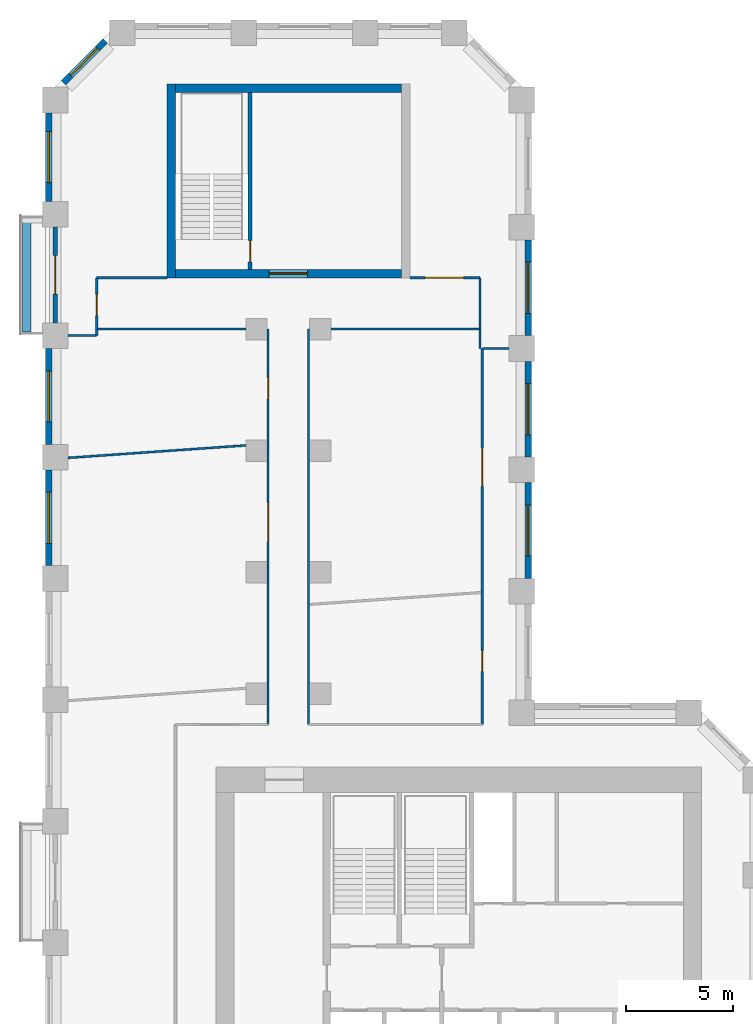
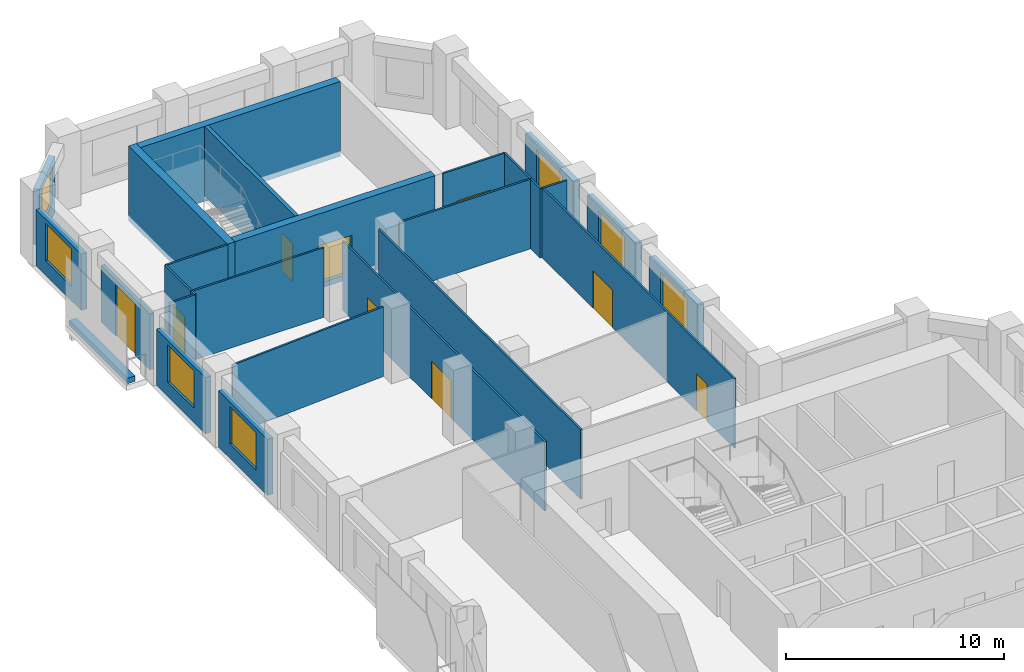
# One storey, part 8 of 10: 27 walls, 9 doors, 7 windows, 16 openings.
"""IFC4 building model written with IfcOpenShell, lengths in metres."""

from ifc_helpers import new_model, si_unit, direction, frame, frame_2d, origin, place, context, subcontext, project, spatial, rectangle, extrude, material, layer, layer_set, type_object, element, fill, save


model = new_model("IFC4")

# Units and contexts
model_context = context("Model", 3, precision=1e-05, world=origin(), true_north=direction((0.0, 1.0)))
body_context = subcontext(model_context, "Body", "Model", "MODEL_VIEW")
ifc_project = project(units=[si_unit("LENGTHUNIT", "METRE"), si_unit("AREAUNIT", "SQUARE_METRE"), si_unit("VOLUMEUNIT", "CUBIC_METRE"), si_unit("PLANEANGLEUNIT", "RADIAN"), si_unit("MASSUNIT", "GRAM", prefix="KILO")], contexts=[model_context])

# Site, building, storey
site_placement = place(None, origin())
site = spatial("IfcSite", under=ifc_project, at=site_placement, CompositionType="ELEMENT")
building_placement = place(site_placement, origin())
building = spatial("IfcBuilding", under=site, at=building_placement, Name="Meshkara Civic Tower", CompositionType="ELEMENT")
storey_placement = place(building_placement, frame((0.0, 0.0, 199.199951171875)))
storey = spatial("IfcBuildingStorey", under=building, at=storey_placement, Name="L45", CompositionType="ELEMENT", Elevation=199.199951171875)

# Wall
ifc_material_1 = material(Name="Corridor wall 100")
ifc_layer_1 = layer(ifc_material_1, 0.10009765625)
ifc_layer_set_1 = layer_set([ifc_layer_1], Name="Corridor wall 100")
wall_type_1 = type_object("IfcWallType", Name="Corridor wall 100", PredefinedType="PARTITIONING", material=ifc_layer_set_1)
wall_1_placement = place(storey_placement, frame((2.39990234375, 57.469970703125, 0.0), z_axis=(0.0, 0.0, 1.0), x_axis=(1.0, 0.0, 0.0)))
element("IfcWall", 1, at=wall_1_placement, inside=storey, type_object=wall_type_1, Name="L45-W001", PredefinedType="PARTITIONING", context=body_context, shape_type="SweptSolid", body=[
    extrude(rectangle(XDim=7.0, YDim=0.10009765625, at=frame_2d((3.5, 0.0))), origin(), (0.0, 0.0, 1.0), 3.900146484375),
])

# Wall, opening, door
wall_2_placement = place(storey_placement, frame((2.39990234375, 59.8701171875, 0.0), z_axis=(0.0, 0.0, 1.0), x_axis=(0.0, -1.0, 0.0)))
wall_2 = element("IfcWall", 2, at=wall_2_placement, inside=storey, type_object=wall_type_1, Name="L45-W002", PredefinedType="PARTITIONING", context=body_context, shape_type="SweptSolid", body=[
    extrude(rectangle(XDim=2.400146484375, YDim=0.10009765625, at=frame_2d((1.2001953125, 0.0))), origin(), (0.0, 0.0, 1.0), 3.900146484375),
])
opening_1_placement = place(wall_2_placement, frame((0.780029296875, 0.0, 0.0)))
opening_1 = element("IfcOpeningElement", 3, at=opening_1_placement, cuts=wall_2, Name="Opening L45-D021", PredefinedType="OPENING", context=body_context, shape_type="SweptSolid", body=[
    extrude(rectangle(XDim=1.0, YDim=2.10009765625, at=frame_2d((0.5, 1.050048828125))), frame((0.0, 0.06005859375, 0.0), z_axis=(0.0, -1.0, 0.0), x_axis=(1.0, 0.0, 0.0)), (0.0, 0.0, 1.0), 0.1201171875),
])
ifc_material_2 = material(Name="Door 1000 x 2100")
door_type_1 = type_object("IfcDoorType", Name="Door 1000 x 2100", OperationType="SINGLE_SWING_LEFT", PredefinedType="DOOR", material=ifc_material_2)
door_1_placement = place(opening_1_placement, origin())
door_1 = element("IfcDoor", 4, at=door_1_placement, inside=storey, type_object=door_type_1, Name="L45-D021", OperationType="SINGLE_SWING_LEFT", OverallHeight=2.10009765625, OverallWidth=1.0, PredefinedType="DOOR", context=body_context, shape_type="SweptSolid", body=[
    extrude(rectangle(XDim=1.0, YDim=2.10009765625, at=frame_2d((0.5, 1.050048828125))), frame((0.0, 0.02490234375, 0.0), z_axis=(0.0, -1.0, 0.0), x_axis=(1.0, 0.0, 0.0)), (0.0, 0.0, 1.0), 0.050048828125),
])
fill(opening_1, door_1)

# Wall
wall_3_placement = place(storey_placement, frame((5.699951171875, 59.8701171875, 0.0), z_axis=(0.0, 0.0, 1.0), x_axis=(-1.0, 0.0, 0.0)))
element("IfcWall", 5, at=wall_3_placement, inside=storey, type_object=wall_type_1, Name="L45-W003", PredefinedType="PARTITIONING", context=body_context, shape_type="SweptSolid", body=[
    extrude(rectangle(XDim=3.300048828125, YDim=0.10009765625, at=frame_2d((1.64990234375, 0.0))), origin(), (0.0, 0.0, 1.0), 3.900146484375),
])

# Wall, openings, doors
wall_4_placement = place(storey_placement, frame((10.449951171875, 57.469970703125, 0.0), z_axis=(0.0, 0.0, 1.0), x_axis=(0.0, -1.0, 0.0)))
wall_4 = element("IfcWall", 6, at=wall_4_placement, inside=storey, type_object=wall_type_1, Name="L45-W012", PredefinedType="PARTITIONING", context=body_context, shape_type="SweptSolid", body=[
    extrude(rectangle(XDim=18.570068359375, YDim=0.10009765625, at=frame_2d((9.28515625, 0.0))), origin(), (0.0, 0.0, 1.0), 3.900146484375),
])
opening_2_placement = place(wall_4_placement, frame((8.176025390625, 0.0, 0.0)))
opening_2 = element("IfcOpeningElement", 7, at=opening_2_placement, cuts=wall_4, Name="Opening L45-D019", PredefinedType="OPENING", context=body_context, shape_type="SweptSolid", body=[
    extrude(rectangle(XDim=1.800048828125, YDim=2.10009765625, at=frame_2d((0.89990234375, 1.050048828125))), frame((0.0, 0.06005859375, 0.0), z_axis=(0.0, -1.0, 0.0), x_axis=(1.0, 0.0, 0.0)), (0.0, 0.0, 1.0), 0.1201171875),
])
opening_3_placement = place(wall_4_placement, frame((2.280029296875, 0.0, 0.0)))
opening_3 = element("IfcOpeningElement", 8, at=opening_3_placement, cuts=wall_4, Name="Opening L45-D022", PredefinedType="OPENING", context=body_context, shape_type="SweptSolid", body=[
    extrude(rectangle(XDim=1.0, YDim=2.10009765625, at=frame_2d((0.5, 1.050048828125))), frame((0.0, 0.06005859375, 0.0), z_axis=(0.0, -1.0, 0.0), x_axis=(1.0, 0.0, 0.0)), (0.0, 0.0, 1.0), 0.1201171875),
])
door_2_placement = place(opening_3_placement, origin())
door_2 = element("IfcDoor", 9, at=door_2_placement, inside=storey, type_object=door_type_1, Name="L45-D022", OperationType="SINGLE_SWING_LEFT", OverallHeight=2.10009765625, OverallWidth=1.0, PredefinedType="DOOR", context=body_context, shape_type="SweptSolid", body=[
    extrude(rectangle(XDim=1.0, YDim=2.10009765625, at=frame_2d((0.5, 1.050048828125))), frame((0.0, 0.02490234375, 0.0), z_axis=(0.0, -1.0, 0.0), x_axis=(1.0, 0.0, 0.0)), (0.0, 0.0, 1.0), 0.050048828125),
])
fill(opening_3, door_2)
ifc_material_3 = material(Name="Door pair 1800 x 2100")
door_type_2 = type_object("IfcDoorType", Name="Door pair 1800 x 2100", OperationType="SINGLE_SWING_LEFT", PredefinedType="DOOR", material=ifc_material_3)
door_3_placement = place(opening_2_placement, origin())
door_3 = element("IfcDoor", 10, at=door_3_placement, inside=storey, type_object=door_type_2, Name="L45-D019", OperationType="DOUBLE_DOOR_SINGLE_SWING", OverallHeight=2.10009765625, OverallWidth=1.800048828125, PredefinedType="DOOR", context=body_context, shape_type="SweptSolid", body=[
    extrude(rectangle(XDim=1.800048828125, YDim=2.10009765625, at=frame_2d((0.89990234375, 1.050048828125))), frame((0.0, 0.02490234375, 0.0), z_axis=(0.0, -1.0, 0.0), x_axis=(1.0, 0.0, 0.0)), (0.0, 0.0, 1.0), 0.050048828125),
])
fill(opening_2, door_3)

# Walls
wall_5_placement = place(storey_placement, frame((12.35009765625, 57.469970703125, 0.0), z_axis=(0.0, 0.0, 1.0), x_axis=(0.0, -1.0, 0.0)))
element("IfcWall", 11, at=wall_5_placement, inside=storey, type_object=wall_type_1, Name="L45-W013", PredefinedType="PARTITIONING", context=body_context, shape_type="SweptSolid", body=[
    extrude(rectangle(XDim=18.570068359375, YDim=0.10009765625, at=frame_2d((9.28515625, 0.0))), origin(), (0.0, 0.0, 1.0), 3.900146484375),
])
wall_6_placement = place(storey_placement, frame((13.39990234375, 57.469970703125, 0.0), z_axis=(0.0, 0.0, 1.0), x_axis=(1.0, 0.0, 0.0)))
element("IfcWall", 12, at=wall_6_placement, inside=storey, type_object=wall_type_1, Name="L45-W015", PredefinedType="PARTITIONING", context=body_context, shape_type="SweptSolid", body=[
    extrude(rectangle(XDim=7.0, YDim=0.10009765625, at=frame_2d((3.5, 0.0))), origin(), (0.0, 0.0, 1.0), 3.900146484375),
])
wall_7_placement = place(storey_placement, frame((20.39990234375, 57.469970703125, 0.0), z_axis=(0.0, 0.0, 1.0), x_axis=(0.0, 1.0, 0.0)))
element("IfcWall", 13, at=wall_7_placement, inside=storey, type_object=wall_type_1, Name="L45-W016", PredefinedType="PARTITIONING", context=body_context, shape_type="SweptSolid", body=[
    extrude(rectangle(XDim=2.400146484375, YDim=0.10009765625, at=frame_2d((1.2001953125, 0.0))), origin(), (0.0, 0.0, 1.0), 3.900146484375),
])

# Wall, opening, door
wall_8_placement = place(storey_placement, frame((20.39990234375, 59.8701171875, 0.0), z_axis=(0.0, 0.0, 1.0), x_axis=(-1.0, 0.0, 0.0)))
wall_8 = element("IfcWall", 14, at=wall_8_placement, inside=storey, type_object=wall_type_1, Name="L45-W017", PredefinedType="PARTITIONING", context=body_context, shape_type="SweptSolid", body=[
    extrude(rectangle(XDim=3.2998046875, YDim=0.10009765625, at=frame_2d((1.64990234375, 0.0))), origin(), (0.0, 0.0, 1.0), 3.900146484375),
])
opening_4_placement = place(wall_8_placement, frame((0.780029296875, 0.0, 0.0)))
opening_4 = element("IfcOpeningElement", 15, at=opening_4_placement, cuts=wall_8, Name="Opening L45-D023", PredefinedType="OPENING", context=body_context, shape_type="SweptSolid", body=[
    extrude(rectangle(XDim=1.800048828125, YDim=2.10009765625, at=frame_2d((0.89990234375, 1.050048828125))), frame((0.0, 0.06005859375, 0.0), z_axis=(0.0, -1.0, 0.0), x_axis=(1.0, 0.0, 0.0)), (0.0, 0.0, 1.0), 0.1201171875),
])
door_4_placement = place(opening_4_placement, origin())
door_4 = element("IfcDoor", 16, at=door_4_placement, inside=storey, type_object=door_type_2, Name="L45-D023", OperationType="DOUBLE_DOOR_SINGLE_SWING", OverallHeight=2.10009765625, OverallWidth=1.800048828125, PredefinedType="DOOR", context=body_context, shape_type="SweptSolid", body=[
    extrude(rectangle(XDim=1.800048828125, YDim=2.10009765625, at=frame_2d((0.89990234375, 1.050048828125))), frame((0.0, 0.02490234375, 0.0), z_axis=(0.0, -1.0, 0.0), x_axis=(1.0, 0.0, 0.0)), (0.0, 0.0, 1.0), 0.050048828125),
])
fill(opening_4, door_4)

# Wall, openings, doors
wall_9_placement = place(storey_placement, frame((20.5, 38.89990234375, 0.0), z_axis=(0.0, 0.0, 1.0), x_axis=(0.0, 1.0, 0.0)))
wall_9 = element("IfcWall", 17, at=wall_9_placement, inside=storey, type_object=wall_type_1, Name="L45-W018", PredefinedType="PARTITIONING", context=body_context, shape_type="SweptSolid", body=[
    extrude(rectangle(XDim=17.650146484375, YDim=0.10009765625, at=frame_2d((8.8251953125, 0.0))), origin(), (0.0, 0.0, 1.0), 3.900146484375),
])
opening_5_placement = place(wall_9_placement, frame((2.47998046875, 0.0, 0.0)))
opening_5 = element("IfcOpeningElement", 18, at=opening_5_placement, cuts=wall_9, Name="Opening L45-D018", PredefinedType="OPENING", context=body_context, shape_type="SweptSolid", body=[
    extrude(rectangle(XDim=1.0, YDim=2.10009765625, at=frame_2d((0.5, 1.050048828125))), frame((0.0, 0.06005859375, 0.0), z_axis=(0.0, -1.0, 0.0), x_axis=(1.0, 0.0, 0.0)), (0.0, 0.0, 1.0), 0.1201171875),
])
opening_6_placement = place(wall_9_placement, frame((11.177001953125, 0.0, 0.0)))
opening_6 = element("IfcOpeningElement", 19, at=opening_6_placement, cuts=wall_9, Name="Opening L45-D020", PredefinedType="OPENING", context=body_context, shape_type="SweptSolid", body=[
    extrude(rectangle(XDim=1.800048828125, YDim=2.10009765625, at=frame_2d((0.89990234375, 1.050048828125))), frame((0.0, 0.06005859375, 0.0), z_axis=(0.0, -1.0, 0.0), x_axis=(1.0, 0.0, 0.0)), (0.0, 0.0, 1.0), 0.1201171875),
])
door_5_placement = place(opening_5_placement, origin())
door_5 = element("IfcDoor", 20, at=door_5_placement, inside=storey, type_object=door_type_1, Name="L45-D018", OperationType="SINGLE_SWING_LEFT", OverallHeight=2.10009765625, OverallWidth=1.0, PredefinedType="DOOR", context=body_context, shape_type="SweptSolid", body=[
    extrude(rectangle(XDim=1.0, YDim=2.10009765625, at=frame_2d((0.5, 1.050048828125))), frame((0.0, 0.02490234375, 0.0), z_axis=(0.0, -1.0, 0.0), x_axis=(1.0, 0.0, 0.0)), (0.0, 0.0, 1.0), 0.050048828125),
])
fill(opening_5, door_5)
door_6_placement = place(opening_6_placement, origin())
door_6 = element("IfcDoor", 21, at=door_6_placement, inside=storey, type_object=door_type_2, Name="L45-D020", OperationType="DOUBLE_DOOR_SINGLE_SWING", OverallHeight=2.10009765625, OverallWidth=1.800048828125, PredefinedType="DOOR", context=body_context, shape_type="SweptSolid", body=[
    extrude(rectangle(XDim=1.800048828125, YDim=2.10009765625, at=frame_2d((0.89990234375, 1.050048828125))), frame((0.0, 0.02490234375, 0.0), z_axis=(0.0, -1.0, 0.0), x_axis=(1.0, 0.0, 0.0)), (0.0, 0.0, 1.0), 0.050048828125),
])
fill(opening_6, door_6)

# Wall
wall_10_placement = place(storey_placement, frame((21.75, 56.550048828125, 0.0), z_axis=(0.0, 0.0, 1.0), x_axis=(-1.0, 0.0, 0.0)))
element("IfcWall", 22, at=wall_10_placement, inside=storey, type_object=wall_type_1, Name="L45-W020", PredefinedType="PARTITIONING", context=body_context, shape_type="SweptSolid", body=[
    extrude(rectangle(XDim=1.25, YDim=0.10009765625, at=frame_2d((0.625, 0.0))), origin(), (0.0, 0.0, 1.0), 3.900146484375),
])

# Wall, opening, window
ifc_material_4 = material(Name="Insulated infill panel with bronze anodised aluminium cladding", Category="aluminium")
ifc_layer_2 = layer(ifc_material_4, 0.300048828125)
ifc_layer_set_2 = layer_set([ifc_layer_2], Name="EXTERNAL INFILL WALL 300")
wall_type_2 = type_object("IfcWallType", Name="EXTERNAL INFILL WALL 300", PredefinedType="SOLIDWALL", material=ifc_layer_set_2)
wall_11_placement = place(storey_placement, frame((22.64990234375, 45.75, 0.0), z_axis=(0.0, 0.0, 1.0), x_axis=(0.0, 1.0, 0.0)))
wall_11 = element("IfcWall", 23, at=wall_11_placement, inside=storey, type_object=wall_type_2, Name="External wall", PredefinedType="SOLIDWALL", context=body_context, shape_type="SweptSolid", body=[
    extrude(rectangle(XDim=4.5, YDim=0.300048828125, at=frame_2d((2.25, 0.0))), origin(), (0.0, 0.0, 1.0), 3.150146484375),
])
opening_7_placement = place(wall_11_placement, frame((1.050048828125, 0.0, 0.800048828125)))
opening_7 = element("IfcOpeningElement", 24, at=opening_7_placement, cuts=wall_11, Name="Opening W7", PredefinedType="OPENING", context=body_context, shape_type="SweptSolid", body=[
    extrude(rectangle(XDim=2.39990234375, YDim=2.10009765625, at=frame_2d((1.199951171875, 1.050048828125))), frame((0.0, 0.159912109375, 0.0), z_axis=(0.0, -1.0, 0.0), x_axis=(1.0, 0.0, 0.0)), (0.0, 0.0, 1.0), 0.320068359375),
])
ifc_material_5 = material(Name="Tinted double glazing", Category="glass")
window_type_1 = type_object("IfcWindowType", Name="WINDOW 2400x2100", PartitioningType="DOUBLE_PANEL_VERTICAL", PredefinedType="WINDOW", material=ifc_material_5)
window_1_placement = place(opening_7_placement, origin())
window_1 = element("IfcWindow", 25, at=window_1_placement, inside=storey, type_object=window_type_1, Name="Window", OverallHeight=2.10009765625, OverallWidth=2.39990234375, PartitioningType="DOUBLE_PANEL_VERTICAL", PredefinedType="WINDOW", context=body_context, shape_type="SweptSolid", body=[
    extrude(rectangle(XDim=2.39990234375, YDim=2.10009765625, at=frame_2d((1.199951171875, 1.050048828125))), frame((0.0, 0.030029296875, 0.0), z_axis=(0.0, -1.0, 0.0), x_axis=(1.0, 0.0, 0.0)), (0.0, 0.0, 1.0), 0.06005859375),
])
fill(opening_7, window_1)

wall_12_placement = place(storey_placement, frame((22.64990234375, 51.449951171875, 0.0), z_axis=(0.0, 0.0, 1.0), x_axis=(0.0, 1.0, 0.0)))
wall_12 = element("IfcWall", 26, at=wall_12_placement, inside=storey, type_object=wall_type_2, Name="External wall", PredefinedType="SOLIDWALL", context=body_context, shape_type="SweptSolid", body=[
    extrude(rectangle(XDim=4.5, YDim=0.300048828125, at=frame_2d((2.25, 0.0))), origin(), (0.0, 0.0, 1.0), 3.150146484375),
])
opening_8_placement = place(wall_12_placement, frame((1.050048828125, 0.0, 0.800048828125)))
opening_8 = element("IfcOpeningElement", 27, at=opening_8_placement, cuts=wall_12, Name="Opening W7", PredefinedType="OPENING", context=body_context, shape_type="SweptSolid", body=[
    extrude(rectangle(XDim=2.39990234375, YDim=2.10009765625, at=frame_2d((1.199951171875, 1.050048828125))), frame((0.0, 0.159912109375, 0.0), z_axis=(0.0, -1.0, 0.0), x_axis=(1.0, 0.0, 0.0)), (0.0, 0.0, 1.0), 0.320068359375),
])
window_2_placement = place(opening_8_placement, origin())
window_2 = element("IfcWindow", 28, at=window_2_placement, inside=storey, type_object=window_type_1, Name="Window", OverallHeight=2.10009765625, OverallWidth=2.39990234375, PartitioningType="DOUBLE_PANEL_VERTICAL", PredefinedType="WINDOW", context=body_context, shape_type="SweptSolid", body=[
    extrude(rectangle(XDim=2.39990234375, YDim=2.10009765625, at=frame_2d((1.199951171875, 1.050048828125))), frame((0.0, 0.030029296875, 0.0), z_axis=(0.0, -1.0, 0.0), x_axis=(1.0, 0.0, 0.0)), (0.0, 0.0, 1.0), 0.06005859375),
])
fill(opening_8, window_2)

wall_13_placement = place(storey_placement, frame((22.64990234375, 57.14990234375, 0.0), z_axis=(0.0, 0.0, 1.0), x_axis=(0.0, 1.0, 0.0)))
wall_13 = element("IfcWall", 29, at=wall_13_placement, inside=storey, type_object=wall_type_2, Name="External wall", PredefinedType="SOLIDWALL", context=body_context, shape_type="SweptSolid", body=[
    extrude(rectangle(XDim=4.5, YDim=0.300048828125, at=frame_2d((2.25, 0.0))), origin(), (0.0, 0.0, 1.0), 3.150146484375),
])
opening_9_placement = place(wall_13_placement, frame((1.050048828125, 0.0, 0.800048828125)))
opening_9 = element("IfcOpeningElement", 30, at=opening_9_placement, cuts=wall_13, Name="Opening W7", PredefinedType="OPENING", context=body_context, shape_type="SweptSolid", body=[
    extrude(rectangle(XDim=2.39990234375, YDim=2.10009765625, at=frame_2d((1.199951171875, 1.050048828125))), frame((0.0, 0.159912109375, 0.0), z_axis=(0.0, -1.0, 0.0), x_axis=(1.0, 0.0, 0.0)), (0.0, 0.0, 1.0), 0.320068359375),
])
window_3_placement = place(opening_9_placement, origin())
window_3 = element("IfcWindow", 31, at=window_3_placement, inside=storey, type_object=window_type_1, Name="Window", OverallHeight=2.10009765625, OverallWidth=2.39990234375, PartitioningType="DOUBLE_PANEL_VERTICAL", PredefinedType="WINDOW", context=body_context, shape_type="SweptSolid", body=[
    extrude(rectangle(XDim=2.39990234375, YDim=2.10009765625, at=frame_2d((1.199951171875, 1.050048828125))), frame((0.0, 0.030029296875, 0.0), z_axis=(0.0, -1.0, 0.0), x_axis=(1.0, 0.0, 0.0)), (0.0, 0.0, 1.0), 0.06005859375),
])
fill(opening_9, window_3)

wall_14_placement = place(storey_placement, frame((2.7939453125, 70.98193359375, 0.0), z_axis=(0.0, 0.0, 1.0), x_axis=(-0.707106781187, -0.707106781187, 0.0)))
wall_14 = element("IfcWall", 32, at=wall_14_placement, inside=storey, type_object=wall_type_2, Name="External wall", PredefinedType="SOLIDWALL", context=body_context, shape_type="SweptSolid", body=[
    extrude(rectangle(XDim=2.766357421875, YDim=0.300048828125, at=frame_2d((1.38330078125, 0.0))), origin(), (0.0, 0.0, 1.0), 3.150146484375),
])
opening_10_placement = place(wall_14_placement, frame((0.48291015625, 0.0, 0.800048828125)))
opening_10 = element("IfcOpeningElement", 33, at=opening_10_placement, cuts=wall_14, Name="Opening W9", PredefinedType="OPENING", context=body_context, shape_type="SweptSolid", body=[
    extrude(rectangle(XDim=1.800048828125, YDim=2.10009765625, at=frame_2d((0.89990234375, 1.050048828125))), frame((0.0, 0.159912109375, 0.0), z_axis=(0.0, -1.0, 0.0), x_axis=(1.0, 0.0, 0.0)), (0.0, 0.0, 1.0), 0.320068359375),
])
ifc_material_6 = material(Name="Tinted double glazing", Category="glass")
window_type_2 = type_object("IfcWindowType", Name="WINDOW 1800x2100", PartitioningType="DOUBLE_PANEL_VERTICAL", PredefinedType="WINDOW", material=ifc_material_6)
window_4_placement = place(opening_10_placement, origin())
window_4 = element("IfcWindow", 34, at=window_4_placement, inside=storey, type_object=window_type_2, Name="Window", OverallHeight=2.10009765625, OverallWidth=1.800048828125, PartitioningType="DOUBLE_PANEL_VERTICAL", PredefinedType="WINDOW", context=body_context, shape_type="SweptSolid", body=[
    extrude(rectangle(XDim=1.800048828125, YDim=2.10009765625, at=frame_2d((0.89990234375, 1.050048828125))), frame((0.0, 0.030029296875, 0.0), z_axis=(0.0, -1.0, 0.0), x_axis=(1.0, 0.0, 0.0)), (0.0, 0.0, 1.0), 0.06005859375),
])
fill(opening_10, window_4)

wall_15_placement = place(storey_placement, frame((0.14990234375, 67.614013671875, 0.0), z_axis=(0.0, 0.0, 1.0), x_axis=(0.0, -1.0, 0.0)))
wall_15 = element("IfcWall", 35, at=wall_15_placement, inside=storey, type_object=wall_type_2, Name="External wall", PredefinedType="SOLIDWALL", context=body_context, shape_type="SweptSolid", body=[
    extrude(rectangle(XDim=4.158935546875, YDim=0.300048828125, at=frame_2d((2.07958984375, 0.0))), origin(), (0.0, 0.0, 1.0), 3.150146484375),
])
opening_11_placement = place(wall_15_placement, frame((0.8798828125, 0.0, 0.800048828125)))
opening_11 = element("IfcOpeningElement", 36, at=opening_11_placement, cuts=wall_15, Name="Opening W7", PredefinedType="OPENING", context=body_context, shape_type="SweptSolid", body=[
    extrude(rectangle(XDim=2.39990234375, YDim=2.10009765625, at=frame_2d((1.199951171875, 1.050048828125))), frame((0.0, 0.159912109375, 0.0), z_axis=(0.0, -1.0, 0.0), x_axis=(1.0, 0.0, 0.0)), (0.0, 0.0, 1.0), 0.320068359375),
])
window_5_placement = place(opening_11_placement, origin())
window_5 = element("IfcWindow", 37, at=window_5_placement, inside=storey, type_object=window_type_1, Name="Window", OverallHeight=2.10009765625, OverallWidth=2.39990234375, PartitioningType="DOUBLE_PANEL_VERTICAL", PredefinedType="WINDOW", context=body_context, shape_type="SweptSolid", body=[
    extrude(rectangle(XDim=2.39990234375, YDim=2.10009765625, at=frame_2d((1.199951171875, 1.050048828125))), frame((0.0, 0.030029296875, 0.0), z_axis=(0.0, -1.0, 0.0), x_axis=(1.0, 0.0, 0.0)), (0.0, 0.0, 1.0), 0.06005859375),
])
fill(opening_11, window_5)

wall_16_placement = place(storey_placement, frame((0.14990234375, 56.554931640625, 0.0), z_axis=(0.0, 0.0, 1.0), x_axis=(0.0, -1.0, 0.0)))
wall_16 = element("IfcWall", 38, at=wall_16_placement, inside=storey, type_object=wall_type_2, Name="External wall", PredefinedType="SOLIDWALL", context=body_context, shape_type="SweptSolid", body=[
    extrude(rectangle(XDim=4.5, YDim=0.300048828125, at=frame_2d((2.25, 0.0))), origin(), (0.0, 0.0, 1.0), 3.150146484375),
])
opening_12_placement = place(wall_16_placement, frame((1.050048828125, 0.0, 0.800048828125)))
opening_12 = element("IfcOpeningElement", 39, at=opening_12_placement, cuts=wall_16, Name="Opening W7", PredefinedType="OPENING", context=body_context, shape_type="SweptSolid", body=[
    extrude(rectangle(XDim=2.39990234375, YDim=2.10009765625, at=frame_2d((1.199951171875, 1.050048828125))), frame((0.0, 0.159912109375, 0.0), z_axis=(0.0, -1.0, 0.0), x_axis=(1.0, 0.0, 0.0)), (0.0, 0.0, 1.0), 0.320068359375),
])
window_6_placement = place(opening_12_placement, origin())
window_6 = element("IfcWindow", 40, at=window_6_placement, inside=storey, type_object=window_type_1, Name="Window", OverallHeight=2.10009765625, OverallWidth=2.39990234375, PartitioningType="DOUBLE_PANEL_VERTICAL", PredefinedType="WINDOW", context=body_context, shape_type="SweptSolid", body=[
    extrude(rectangle(XDim=2.39990234375, YDim=2.10009765625, at=frame_2d((1.199951171875, 1.050048828125))), frame((0.0, 0.030029296875, 0.0), z_axis=(0.0, -1.0, 0.0), x_axis=(1.0, 0.0, 0.0)), (0.0, 0.0, 1.0), 0.06005859375),
])
fill(opening_12, window_6)

wall_17_placement = place(storey_placement, frame((0.14990234375, 50.85498046875, 0.0), z_axis=(0.0, 0.0, 1.0), x_axis=(0.0, -1.0, 0.0)))
wall_17 = element("IfcWall", 41, at=wall_17_placement, inside=storey, type_object=wall_type_2, Name="External wall", PredefinedType="SOLIDWALL", context=body_context, shape_type="SweptSolid", body=[
    extrude(rectangle(XDim=4.5, YDim=0.300048828125, at=frame_2d((2.25, 0.0))), origin(), (0.0, 0.0, 1.0), 3.150146484375),
])
opening_13_placement = place(wall_17_placement, frame((1.050048828125, 0.0, 0.800048828125)))
opening_13 = element("IfcOpeningElement", 42, at=opening_13_placement, cuts=wall_17, Name="Opening W7", PredefinedType="OPENING", context=body_context, shape_type="SweptSolid", body=[
    extrude(rectangle(XDim=2.39990234375, YDim=2.10009765625, at=frame_2d((1.199951171875, 1.050048828125))), frame((0.0, 0.159912109375, 0.0), z_axis=(0.0, -1.0, 0.0), x_axis=(1.0, 0.0, 0.0)), (0.0, 0.0, 1.0), 0.320068359375),
])
window_7_placement = place(opening_13_placement, origin())
window_7 = element("IfcWindow", 43, at=window_7_placement, inside=storey, type_object=window_type_1, Name="Window", OverallHeight=2.10009765625, OverallWidth=2.39990234375, PartitioningType="DOUBLE_PANEL_VERTICAL", PredefinedType="WINDOW", context=body_context, shape_type="SweptSolid", body=[
    extrude(rectangle(XDim=2.39990234375, YDim=2.10009765625, at=frame_2d((1.199951171875, 1.050048828125))), frame((0.0, 0.030029296875, 0.0), z_axis=(0.0, -1.0, 0.0), x_axis=(1.0, 0.0, 0.0)), (0.0, 0.0, 1.0), 0.06005859375),
])
fill(opening_13, window_7)

# Wall
ifc_material_7 = material(Name="Concrete C70", Category="concrete")
ifc_layer_3 = layer(ifc_material_7, 0.39990234375)
ifc_layer_set_3 = layer_set([ifc_layer_3], Name="End core ring wall 400 C70")
wall_type_3 = type_object("IfcWallType", Name="End core ring wall 400 C70", PredefinedType="SHEAR", material=ifc_layer_set_3)
wall_18_placement = place(storey_placement, frame((5.89990234375, 59.8701171875, -0.300048828125), z_axis=(0.0, 0.0, 1.0), x_axis=(0.0, 1.0, 0.0)))
element("IfcWall", 44, at=wall_18_placement, inside=storey, type_object=wall_type_3, Name="L45-C023", PredefinedType="SHEAR", context=body_context, shape_type="SweptSolid", body=[
    extrude(rectangle(XDim=9.099853515625, YDim=0.39990234375, at=frame_2d((4.5498046875, 0.0))), origin(), (0.0, 0.0, 1.0), 4.2001953125),
])

# Wall, opening, door
wall_19_placement = place(storey_placement, frame((6.10009765625, 60.070068359375, -0.300048828125), z_axis=(0.0, 0.0, 1.0), x_axis=(1.0, 0.0, 0.0)))
wall_19 = element("IfcWall", 45, at=wall_19_placement, inside=storey, type_object=wall_type_3, Name="L45-C025", PredefinedType="SHEAR", context=body_context, shape_type="SweptSolid", body=[
    extrude(rectangle(XDim=10.599853515625, YDim=0.39990234375, at=frame_2d((5.2998046875, 0.0))), origin(), (0.0, 0.0, 1.0), 4.2001953125),
])
opening_14_placement = place(wall_19_placement, frame((4.39990234375, 0.0, 0.300048828125)))
opening_14 = element("IfcOpeningElement", 46, at=opening_14_placement, cuts=wall_19, Name="Opening L45-K102", PredefinedType="OPENING", context=body_context, shape_type="SweptSolid", body=[
    extrude(rectangle(XDim=1.800048828125, YDim=2.10009765625, at=frame_2d((0.89990234375, 1.050048828125))), frame((0.0, 0.2099609375, 0.0), z_axis=(0.0, -1.0, 0.0), x_axis=(1.0, 0.0, 0.0)), (0.0, 0.0, 1.0), 0.419921875),
])
ifc_material_8 = material(Name="Fire-rated door leaf in steel frame", Category="steel")
door_type_3 = type_object("IfcDoorType", Name="Core double door 1800 EI 60", OperationType="DOUBLE_DOOR_SINGLE_SWING", PredefinedType="DOOR", material=ifc_material_8)
door_7_placement = place(opening_14_placement, origin())
door_7 = element("IfcDoor", 47, at=door_7_placement, inside=storey, type_object=door_type_3, Name="L45-K102", OperationType="DOUBLE_DOOR_SINGLE_SWING", OverallHeight=2.10009765625, OverallWidth=1.800048828125, PredefinedType="DOOR", context=body_context, shape_type="SweptSolid", body=[
    extrude(rectangle(XDim=1.800048828125, YDim=2.10009765625, at=frame_2d((0.89990234375, 1.050048828125))), frame((0.0, 0.02490234375, 0.0), z_axis=(0.0, -1.0, 0.0), x_axis=(1.0, 0.0, 0.0)), (0.0, 0.0, 1.0), 0.050048828125),
])
fill(opening_14, door_7)

# Wall
wall_20_placement = place(storey_placement, frame((6.10009765625, 68.77001953125, -0.300048828125), z_axis=(0.0, 0.0, 1.0), x_axis=(1.0, 0.0, 0.0)))
element("IfcWall", 48, at=wall_20_placement, inside=storey, type_object=wall_type_3, Name="L45-C026", PredefinedType="SHEAR", context=body_context, shape_type="SweptSolid", body=[
    extrude(rectangle(XDim=10.599853515625, YDim=0.39990234375, at=frame_2d((5.2998046875, 0.0))), origin(), (0.0, 0.0, 1.0), 4.2001953125),
])

# Wall, opening, door
ifc_material_9 = material(Name="Insulated infill panel with bronze anodised aluminium cladding", Category="aluminium")
ifc_layer_4 = layer(ifc_material_9, 0.199951171875)
ifc_layer_set_4 = layer_set([ifc_layer_4], Name="LOGGIA BACK WALL 200")
wall_type_4 = type_object("IfcWallType", Name="LOGGIA BACK WALL 200", PredefinedType="SOLIDWALL", material=ifc_layer_set_4)
wall_21_placement = place(storey_placement, frame((0.449951171875, 62.2548828125, 0.0), z_axis=(0.0, 0.0, 1.0), x_axis=(0.0, -1.0, 0.0)))
wall_21 = element("IfcWall", 49, at=wall_21_placement, inside=storey, type_object=wall_type_4, Name="Loggia wall", PredefinedType="SOLIDWALL", context=body_context, shape_type="SweptSolid", body=[
    extrude(rectangle(XDim=4.5, YDim=0.199951171875, at=frame_2d((2.25, 0.0))), origin(), (0.0, 0.0, 1.0), 3.150146484375),
])
opening_15_placement = place(wall_21_placement, frame((1.34912109375, 0.0, 0.0)))
opening_15 = element("IfcOpeningElement", 50, at=opening_15_placement, cuts=wall_21, Name="Opening L45-L001", PredefinedType="OPENING", context=body_context, shape_type="SweptSolid", body=[
    extrude(rectangle(XDim=1.800048828125, YDim=2.89990234375, at=frame_2d((0.89990234375, 1.449951171875))), frame((0.0, 0.10986328125, 0.0), z_axis=(0.0, -1.0, 0.0), x_axis=(1.0, 0.0, 0.0)), (0.0, 0.0, 1.0), 0.219970703125),
])
ifc_material_10 = material(Name="Tinted double glazing", Category="glass")
door_type_4 = type_object("IfcDoorType", Name="LOGGIA DOOR 1800x2900", OperationType="DOUBLE_DOOR_SINGLE_SWING", PredefinedType="DOOR", material=ifc_material_10)
door_8_placement = place(opening_15_placement, origin())
door_8 = element("IfcDoor", 51, at=door_8_placement, inside=storey, type_object=door_type_4, Name="L45-L001", OperationType="DOUBLE_DOOR_SINGLE_SWING", OverallHeight=2.89990234375, OverallWidth=1.800048828125, PredefinedType="DOOR", context=body_context, shape_type="SweptSolid", body=[
    extrude(rectangle(XDim=1.800048828125, YDim=2.89990234375, at=frame_2d((0.89990234375, 1.449951171875))), frame((0.0, 0.02490234375, 0.0), z_axis=(0.0, -1.0, 0.0), x_axis=(1.0, 0.0, 0.0)), (0.0, 0.0, 1.0), 0.050048828125),
])
fill(opening_15, door_8)

# Walls
ifc_material_11 = material(Name="Concrete C40", Category="concrete")
ifc_layer_5 = layer(ifc_material_11, 0.39990234375)
ifc_layer_set_5 = layer_set([ifc_layer_5], Name="PLANTER TRAY")
wall_type_5 = type_object("IfcWallType", Name="PLANTER TRAY", PredefinedType="SOLIDWALL", material=ifc_layer_set_5)
wall_22_placement = place(storey_placement, frame((-0.8798828125, 62.68505859375, 0.0), z_axis=(0.0, 0.0, 1.0), x_axis=(0.0, -1.0, 0.0)))
element("IfcWall", 52, at=wall_22_placement, inside=storey, type_object=wall_type_5, Name="Planter", PredefinedType="SOLIDWALL", context=body_context, shape_type="SweptSolid", body=[
    extrude(rectangle(XDim=5.360107421875, YDim=0.39990234375, at=frame_2d((2.68017578125, 0.0))), origin(), (0.0, 0.0, 1.0), 0.300048828125),
])
ifc_material_12 = material(Name="Partition 100")
ifc_layer_6 = layer(ifc_material_12, 0.10009765625)
ifc_layer_set_6 = layer_set([ifc_layer_6], Name="Partition 100")
wall_type_6 = type_object("IfcWallType", Name="Partition 100", PredefinedType="PARTITIONING", material=ifc_layer_set_6)
wall_23_placement = place(storey_placement, frame((2.39990234375, 57.155029296875, 0.0), z_axis=(0.0, 0.0, 1.0), x_axis=(-1.0, 0.0, 0.0)))
element("IfcWall", 53, at=wall_23_placement, inside=storey, type_object=wall_type_6, Name="L45-W034", PredefinedType="PARTITIONING", context=body_context, shape_type="SweptSolid", body=[
    extrude(rectangle(XDim=1.349853515625, YDim=0.10009765625, at=frame_2d((0.6748046875, 0.0))), origin(), (0.0, 0.0, 1.0), 3.900146484375),
])
wall_24_placement = place(storey_placement, frame((2.39990234375, 57.47412109375, 0.0), z_axis=(0.0, 0.0, 1.0), x_axis=(0.0, -1.0, 0.0)))
element("IfcWall", 54, at=wall_24_placement, inside=storey, type_object=wall_type_6, Name="L45-W035", PredefinedType="PARTITIONING", context=body_context, shape_type="SweptSolid", body=[
    extrude(rectangle(XDim=0.319091796875, YDim=0.10009765625, at=frame_2d((0.15966796875, 0.0))), origin(), (0.0, 0.0, 1.0), 3.900146484375),
])
wall_25_placement = place(storey_placement, frame((9.39990234375, 52.0009765625, 0.0), z_axis=(0.0, 0.0, 1.0), x_axis=(-0.997555044264, -0.069885146225, 0.0)))
element("IfcWall", 55, at=wall_25_placement, inside=storey, type_object=wall_type_6, Name="L45-W040", PredefinedType="PARTITIONING", context=body_context, shape_type="SweptSolid", body=[
    extrude(rectangle(XDim=8.370361328125, YDim=0.10009765625, at=frame_2d((4.18505859375, 0.0))), origin(), (0.0, 0.0, 1.0), 3.900146484375),
])
wall_26_placement = place(storey_placement, frame((20.39990234375, 56.550048828125, 0.0), z_axis=(0.0, 0.0, 1.0), x_axis=(0.0, 1.0, 0.0)))
element("IfcWall", 56, at=wall_26_placement, inside=storey, type_object=wall_type_6, Name="L45-W041", PredefinedType="PARTITIONING", context=body_context, shape_type="SweptSolid", body=[
    extrude(rectangle(XDim=0.924072265625, YDim=0.10009765625, at=frame_2d((0.4619140625, 0.0))), origin(), (0.0, 0.0, 1.0), 3.900146484375),
])

# Wall, opening, door
ifc_material_13 = material(Name="Concrete C40/50", Category="concrete")
ifc_layer_7 = layer(ifc_material_13, 0.199951171875)
ifc_layer_set_7 = layer_set([ifc_layer_7], Name="Stair enclosure wall 200 C40/50")
wall_type_7 = type_object("IfcWallType", Name="Stair enclosure wall 200 C40/50", PredefinedType="SOLIDWALL", material=ifc_layer_set_7)
wall_27_placement = place(storey_placement, frame((9.60009765625, 60.27001953125, 0.0), z_axis=(0.0, 0.0, 1.0), x_axis=(0.0, 1.0, 0.0)))
wall_27 = element("IfcWall", 57, at=wall_27_placement, inside=storey, type_object=wall_type_7, Name="L45-C027", PredefinedType="SOLIDWALL", context=body_context, shape_type="SweptSolid", body=[
    extrude(rectangle(XDim=8.300048828125, YDim=0.199951171875, at=frame_2d((4.14990234375, 0.0))), origin(), (0.0, 0.0, 1.0), 3.900146484375),
])
opening_16_placement = place(wall_27_placement, frame((0.35009765625, 0.0, 0.0)))
opening_16 = element("IfcOpeningElement", 58, at=opening_16_placement, cuts=wall_27, Name="Opening L45-K101", PredefinedType="OPENING", context=body_context, shape_type="SweptSolid", body=[
    extrude(rectangle(XDim=1.0, YDim=2.10009765625, at=frame_2d((0.5, 1.050048828125))), frame((0.0, 0.10986328125, 0.0), z_axis=(0.0, -1.0, 0.0), x_axis=(1.0, 0.0, 0.0)), (0.0, 0.0, 1.0), 0.219970703125),
])
ifc_material_14 = material(Name="Fire-rated door leaf in steel frame", Category="steel")
door_type_5 = type_object("IfcDoorType", Name="Stair door 1000 EI 120", OperationType="SINGLE_SWING_LEFT", PredefinedType="DOOR", material=ifc_material_14)
door_9_placement = place(opening_16_placement, origin())
door_9 = element("IfcDoor", 59, at=door_9_placement, inside=storey, type_object=door_type_5, Name="L45-K101", OperationType="SINGLE_SWING_RIGHT", OverallHeight=2.10009765625, OverallWidth=1.0, PredefinedType="DOOR", context=body_context, shape_type="SweptSolid", body=[
    extrude(rectangle(XDim=1.0, YDim=2.10009765625, at=frame_2d((0.5, 1.050048828125))), frame((0.0, 0.02490234375, 0.0), z_axis=(0.0, -1.0, 0.0), x_axis=(1.0, 0.0, 0.0)), (0.0, 0.0, 1.0), 0.050048828125),
])
fill(opening_16, door_9)

save(model, "model.ifc")
